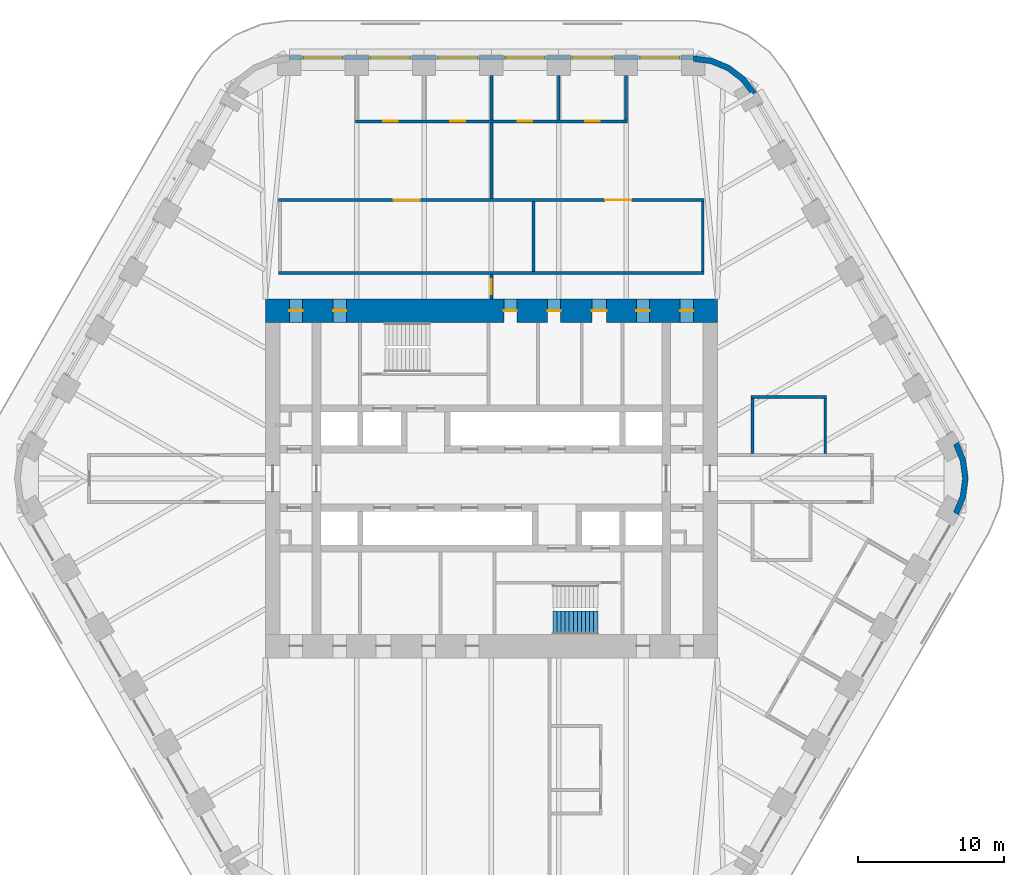
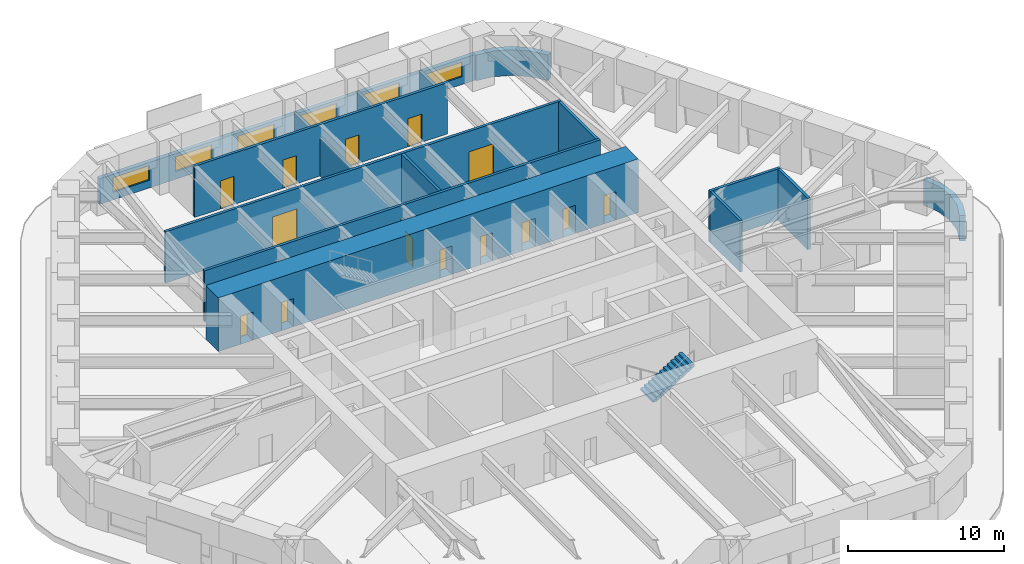
# One storey, part 17 of 20: 17 walls, 14 doors, 6 windows, 1 stair flight, 20 openings, 1 element without a shape of its own.
"""IFC4 building model written with IfcOpenShell, lengths in metres."""

from ifc_helpers import new_model, si_unit, direction, frame, frame_2d, origin, place, context, subcontext, project, spatial, polyline, rectangle, outline, extrude, material, layer, layer_set, type_object, element, fill, aggregate, save


model = new_model("IFC4")

# Units and contexts
model_context = context("Model", 3, precision=1e-05, world=origin(), true_north=direction((0.0, 1.0)))
body_context = subcontext(model_context, "Body", "Model", "MODEL_VIEW")
ifc_project = project(units=[si_unit("LENGTHUNIT", "METRE"), si_unit("AREAUNIT", "SQUARE_METRE"), si_unit("VOLUMEUNIT", "CUBIC_METRE"), si_unit("PLANEANGLEUNIT", "RADIAN"), si_unit("MASSUNIT", "GRAM", prefix="KILO")], contexts=[model_context])

# Site, building, storey
site_placement = place(None, origin())
site = spatial("IfcSite", under=ifc_project, at=site_placement, CompositionType="ELEMENT")
building_placement = place(site_placement, origin())
building = spatial("IfcBuilding", under=site, at=building_placement, Name="Tarfa Lantern Tower", CompositionType="ELEMENT")
storey_placement = place(building_placement, frame((0.0, 0.0, 219.699951171875)))
storey = spatial("IfcBuildingStorey", under=building, at=storey_placement, Name="L49", CompositionType="ELEMENT", Elevation=219.699951171875)

# Wall, openings, windows
ifc_material_1 = material(Name="Limestone cladding on blockwork", Category="masonry")
ifc_layer_1 = layer(ifc_material_1, 0.300048828125)
ifc_layer_set_1 = layer_set([ifc_layer_1], Name="EW1 STONE-CLAD WALL 300")
wall_type_1 = type_object("IfcWallType", Name="EW1 STONE-CLAD WALL 300", PredefinedType="SOLIDWALL", material=ifc_layer_set_1)
wall_1_placement = place(storey_placement, frame((13.8564453125, 28.85009765625, 0.0), z_axis=(0.0, 0.0, 1.0), x_axis=(-1.0, 0.0, 0.0)))
wall_1 = element("IfcWall", 1, at=wall_1_placement, inside=storey, type_object=wall_type_1, Name="Stone wall N", PredefinedType="SOLIDWALL", context=body_context, shape_type="SweptSolid", body=[
    extrude(rectangle(XDim=27.712890625, YDim=0.300048828125, at=frame_2d((13.8564453125, 0.0))), origin(), (0.0, 0.0, 1.0), 2.0),
])
opening_1_placement = place(wall_1_placement, frame((0.95947265625, 0.0, 0.60009765625)))
opening_1 = element("IfcOpeningElement", 2, at=opening_1_placement, cuts=wall_1, Name="Opening W13", PredefinedType="OPENING", context=body_context, shape_type="SweptSolid", body=[
    extrude(rectangle(XDim=2.699951171875, YDim=1.14990234375, at=frame_2d((1.35009765625, 0.574951171875))), frame((0.0, 0.159912109375, 0.0), z_axis=(0.0, -1.0, 0.0), x_axis=(1.0, 0.0, 0.0)), (0.0, 0.0, 1.0), 0.320068359375),
])
opening_2_placement = place(wall_1_placement, frame((5.578125, 0.0, 0.60009765625)))
opening_2 = element("IfcOpeningElement", 3, at=opening_2_placement, cuts=wall_1, Name="Opening W13", PredefinedType="OPENING", context=body_context, shape_type="SweptSolid", body=[
    extrude(rectangle(XDim=2.699951171875, YDim=1.14990234375, at=frame_2d((1.35009765625, 0.574951171875))), frame((0.0, 0.159912109375, 0.0), z_axis=(0.0, -1.0, 0.0), x_axis=(1.0, 0.0, 0.0)), (0.0, 0.0, 1.0), 0.320068359375),
])
opening_3_placement = place(wall_1_placement, frame((10.197021484375, 0.0, 0.60009765625)))
opening_3 = element("IfcOpeningElement", 4, at=opening_3_placement, cuts=wall_1, Name="Opening W13", PredefinedType="OPENING", context=body_context, shape_type="SweptSolid", body=[
    extrude(rectangle(XDim=2.699951171875, YDim=1.14990234375, at=frame_2d((1.35009765625, 0.574951171875))), frame((0.0, 0.159912109375, 0.0), z_axis=(0.0, -1.0, 0.0), x_axis=(1.0, 0.0, 0.0)), (0.0, 0.0, 1.0), 0.320068359375),
])
opening_4_placement = place(wall_1_placement, frame((14.81591796875, 0.0, 0.60009765625)))
opening_4 = element("IfcOpeningElement", 5, at=opening_4_placement, cuts=wall_1, Name="Opening W13", PredefinedType="OPENING", context=body_context, shape_type="SweptSolid", body=[
    extrude(rectangle(XDim=2.699951171875, YDim=1.14990234375, at=frame_2d((1.35009765625, 0.574951171875))), frame((0.0, 0.159912109375, 0.0), z_axis=(0.0, -1.0, 0.0), x_axis=(1.0, 0.0, 0.0)), (0.0, 0.0, 1.0), 0.320068359375),
])
opening_5_placement = place(wall_1_placement, frame((19.4345703125, 0.0, 0.60009765625)))
opening_5 = element("IfcOpeningElement", 6, at=opening_5_placement, cuts=wall_1, Name="Opening W13", PredefinedType="OPENING", context=body_context, shape_type="SweptSolid", body=[
    extrude(rectangle(XDim=2.699951171875, YDim=1.14990234375, at=frame_2d((1.35009765625, 0.574951171875))), frame((0.0, 0.159912109375, 0.0), z_axis=(0.0, -1.0, 0.0), x_axis=(1.0, 0.0, 0.0)), (0.0, 0.0, 1.0), 0.320068359375),
])
opening_6_placement = place(wall_1_placement, frame((24.053466796875, 0.0, 0.60009765625)))
opening_6 = element("IfcOpeningElement", 7, at=opening_6_placement, cuts=wall_1, Name="Opening W13", PredefinedType="OPENING", context=body_context, shape_type="SweptSolid", body=[
    extrude(rectangle(XDim=2.699951171875, YDim=1.14990234375, at=frame_2d((1.35009765625, 0.574951171875))), frame((0.0, 0.159912109375, 0.0), z_axis=(0.0, -1.0, 0.0), x_axis=(1.0, 0.0, 0.0)), (0.0, 0.0, 1.0), 0.320068359375),
])
ifc_material_2 = material(Name="Aluminium frame, double glazed", Category="aluminium")
window_type = type_object("IfcWindowType", Name="W13 FULL-HEIGHT GLAZING 2700x1150", PartitioningType="SINGLE_PANEL", PredefinedType="WINDOW", material=ifc_material_2)
window_1_placement = place(opening_1_placement, origin())
window_1 = element("IfcWindow", 8, at=window_1_placement, inside=storey, type_object=window_type, Name="Window N 1", OverallHeight=1.14990234375, OverallWidth=2.699951171875, PartitioningType="SINGLE_PANEL", PredefinedType="WINDOW", context=body_context, shape_type="SweptSolid", body=[
    extrude(rectangle(XDim=2.699951171875, YDim=1.14990234375, at=frame_2d((1.35009765625, 0.574951171875))), frame((0.0, 0.030029296875, 0.0), z_axis=(0.0, -1.0, 0.0), x_axis=(1.0, 0.0, 0.0)), (0.0, 0.0, 1.0), 0.06005859375),
])
fill(opening_1, window_1)
window_2_placement = place(opening_2_placement, origin())
window_2 = element("IfcWindow", 9, at=window_2_placement, inside=storey, type_object=window_type, Name="Window N 2", OverallHeight=1.14990234375, OverallWidth=2.699951171875, PartitioningType="SINGLE_PANEL", PredefinedType="WINDOW", context=body_context, shape_type="SweptSolid", body=[
    extrude(rectangle(XDim=2.699951171875, YDim=1.14990234375, at=frame_2d((1.35009765625, 0.574951171875))), frame((0.0, 0.030029296875, 0.0), z_axis=(0.0, -1.0, 0.0), x_axis=(1.0, 0.0, 0.0)), (0.0, 0.0, 1.0), 0.06005859375),
])
fill(opening_2, window_2)
window_3_placement = place(opening_3_placement, origin())
window_3 = element("IfcWindow", 10, at=window_3_placement, inside=storey, type_object=window_type, Name="Window N 3", OverallHeight=1.14990234375, OverallWidth=2.699951171875, PartitioningType="SINGLE_PANEL", PredefinedType="WINDOW", context=body_context, shape_type="SweptSolid", body=[
    extrude(rectangle(XDim=2.699951171875, YDim=1.14990234375, at=frame_2d((1.35009765625, 0.574951171875))), frame((0.0, 0.030029296875, 0.0), z_axis=(0.0, -1.0, 0.0), x_axis=(1.0, 0.0, 0.0)), (0.0, 0.0, 1.0), 0.06005859375),
])
fill(opening_3, window_3)
window_4_placement = place(opening_4_placement, origin())
window_4 = element("IfcWindow", 11, at=window_4_placement, inside=storey, type_object=window_type, Name="Window N 4", OverallHeight=1.14990234375, OverallWidth=2.699951171875, PartitioningType="SINGLE_PANEL", PredefinedType="WINDOW", context=body_context, shape_type="SweptSolid", body=[
    extrude(rectangle(XDim=2.699951171875, YDim=1.14990234375, at=frame_2d((1.35009765625, 0.574951171875))), frame((0.0, 0.030029296875, 0.0), z_axis=(0.0, -1.0, 0.0), x_axis=(1.0, 0.0, 0.0)), (0.0, 0.0, 1.0), 0.06005859375),
])
fill(opening_4, window_4)
window_5_placement = place(opening_5_placement, origin())
window_5 = element("IfcWindow", 12, at=window_5_placement, inside=storey, type_object=window_type, Name="Window N 5", OverallHeight=1.14990234375, OverallWidth=2.699951171875, PartitioningType="SINGLE_PANEL", PredefinedType="WINDOW", context=body_context, shape_type="SweptSolid", body=[
    extrude(rectangle(XDim=2.699951171875, YDim=1.14990234375, at=frame_2d((1.35009765625, 0.574951171875))), frame((0.0, 0.030029296875, 0.0), z_axis=(0.0, -1.0, 0.0), x_axis=(1.0, 0.0, 0.0)), (0.0, 0.0, 1.0), 0.06005859375),
])
fill(opening_5, window_5)
window_6_placement = place(opening_6_placement, origin())
window_6 = element("IfcWindow", 13, at=window_6_placement, inside=storey, type_object=window_type, Name="Window N 6", OverallHeight=1.14990234375, OverallWidth=2.699951171875, PartitioningType="SINGLE_PANEL", PredefinedType="WINDOW", context=body_context, shape_type="SweptSolid", body=[
    extrude(rectangle(XDim=2.699951171875, YDim=1.14990234375, at=frame_2d((1.35009765625, 0.574951171875))), frame((0.0, 0.030029296875, 0.0), z_axis=(0.0, -1.0, 0.0), x_axis=(1.0, 0.0, 0.0)), (0.0, 0.0, 1.0), 0.06005859375),
])
fill(opening_6, window_6)

# Walls
ifc_layer_2 = layer(ifc_material_1, 0.39990234375)
ifc_layer_set_2 = layer_set([ifc_layer_2], Name="EW2 CURVED STONE CORNER 400")
wall_type_2 = type_object("IfcWallType", Name="EW2 CURVED STONE CORNER 400", PredefinedType="SOLIDWALL", material=ifc_layer_set_2)
wall_2_placement = place(storey_placement, origin())
element("IfcWall", 14, at=wall_2_placement, inside=storey, type_object=wall_type_2, Name="Stone corner NE-N", PredefinedType="SOLIDWALL", context=body_context, shape_type="SweptSolid", body=[
    extrude(outline(polyline([(18.1865234375, 26.5), (17.391845703125, 27.53564453125), (16.3564453125, 28.330078125), (15.150390625, 28.82958984375), (13.8564453125, 29.0), (13.8564453125, 28.60009765625), (15.046875, 28.443359375), (16.156494140625, 27.983642578125), (17.109130859375, 27.252685546875), (17.840087890625, 26.300048828125), (18.1865234375, 26.5)])), origin(), (0.0, 0.0, 1.0), 2.0),
])
wall_3_placement = place(storey_placement, origin())
element("IfcWall", 15, at=wall_3_placement, inside=storey, type_object=wall_type_2, Name="Stone corner SE-NE", PredefinedType="SOLIDWALL", context=body_context, shape_type="SweptSolid", body=[
    extrude(outline(polyline([(32.04296875, -2.5), (32.54248046875, -1.294189453125), (32.712890625, 0.0), (32.54248046875, 1.294189453125), (32.04296875, 2.5), (31.696533203125, 2.300048828125), (32.156005859375, 1.190673828125), (32.312744140625, 0.0), (32.156005859375, -1.190673828125), (31.696533203125, -2.300048828125), (32.04296875, -2.5)])), origin(), (0.0, 0.0, 1.0), 2.0),
])
ifc_material_3 = material(Name="Gypsum board on steel studs", Category="steel")
ifc_layer_3 = layer(ifc_material_3, 0.2099609375)
ifc_layer_set_3 = layer_set([ifc_layer_3], Name="IW2 ACOUSTIC PARTITION 200")
wall_type_3 = type_object("IfcWallType", Name="IW2 ACOUSTIC PARTITION 200", PredefinedType="PARTITIONING", material=ifc_layer_set_3)
wall_4_placement = place(storey_placement, frame((-14.60009765625, 14.10009765625, 0.0), z_axis=(0.0, 0.0, 1.0), x_axis=(1.0, 0.0, 0.0)))
element("IfcWall", 16, at=wall_4_placement, inside=storey, type_object=wall_type_3, Name="Partition", PredefinedType="PARTITIONING", context=body_context, shape_type="SweptSolid", body=[
    extrude(rectangle(XDim=29.2001953125, YDim=0.199951171875, at=frame_2d((14.60009765625, 0.0))), origin(), (0.0, 0.0, 1.0), 4.0),
])

# Wall, openings, doors
wall_5_placement = place(storey_placement, frame((-14.60009765625, 19.10009765625, 0.0), z_axis=(0.0, 0.0, 1.0), x_axis=(1.0, 0.0, 0.0)))
wall_5 = element("IfcWall", 17, at=wall_5_placement, inside=storey, type_object=wall_type_3, Name="Partition", PredefinedType="PARTITIONING", context=body_context, shape_type="SweptSolid", body=[
    extrude(rectangle(XDim=29.2001953125, YDim=0.199951171875, at=frame_2d((14.60009765625, 0.0))), origin(), (0.0, 0.0, 1.0), 4.0),
])
opening_7_placement = place(wall_5_placement, frame((7.89990234375, 0.0, 0.0)))
opening_7 = element("IfcOpeningElement", 18, at=opening_7_placement, cuts=wall_5, Name="Opening D36", PredefinedType="OPENING", context=body_context, shape_type="SweptSolid", body=[
    extrude(rectangle(XDim=1.800048828125, YDim=2.39990234375, at=frame_2d((0.89990234375, 1.199951171875))), frame((0.0, 0.10986328125, 0.0), z_axis=(0.0, -1.0, 0.0), x_axis=(1.0, 0.0, 0.0)), (0.0, 0.0, 1.0), 0.219970703125),
])
opening_8_placement = place(wall_5_placement, frame((22.39990234375, 0.0, 0.0)))
opening_8 = element("IfcOpeningElement", 19, at=opening_8_placement, cuts=wall_5, Name="Opening D37", PredefinedType="OPENING", context=body_context, shape_type="SweptSolid", body=[
    extrude(rectangle(XDim=1.800048828125, YDim=2.39990234375, at=frame_2d((0.89990234375, 1.199951171875))), frame((0.0, 0.10986328125, 0.0), z_axis=(0.0, -1.0, 0.0), x_axis=(1.0, 0.0, 0.0)), (0.0, 0.0, 1.0), 0.219970703125),
])
ifc_material_4 = material(Name="Timber door", Category="wood")
door_type_1 = type_object("IfcDoorType", Name="DR2 ROOM DOOR 1800x2400", OperationType="DOUBLE_DOOR_SINGLE_SWING", PredefinedType="DOOR", material=ifc_material_4)
door_1_placement = place(opening_7_placement, frame((1.800048828125, 0.0, 0.0), z_axis=(0.0, 0.0, 1.0), x_axis=(-1.0, 0.0, 0.0)))
door_1 = element("IfcDoor", 20, at=door_1_placement, inside=storey, type_object=door_type_1, Name="Legal library door", OperationType="DOUBLE_DOOR_SINGLE_SWING", OverallHeight=2.39990234375, OverallWidth=1.800048828125, PredefinedType="DOOR", context=body_context, shape_type="SweptSolid", body=[
    extrude(rectangle(XDim=1.800048828125, YDim=2.39990234375, at=frame_2d((0.89990234375, 1.199951171875))), frame((0.0, 0.02490234375, 0.0), z_axis=(0.0, -1.0, 0.0), x_axis=(1.0, 0.0, 0.0)), (0.0, 0.0, 1.0), 0.050048828125),
])
fill(opening_7, door_1)
door_2_placement = place(opening_8_placement, frame((1.800048828125, 0.0, 0.0), z_axis=(0.0, 0.0, 1.0), x_axis=(-1.0, 0.0, 0.0)))
door_2 = element("IfcDoor", 21, at=door_2_placement, inside=storey, type_object=door_type_1, Name="File room door", OperationType="DOUBLE_DOOR_SINGLE_SWING", OverallHeight=2.39990234375, OverallWidth=1.800048828125, PredefinedType="DOOR", context=body_context, shape_type="SweptSolid", body=[
    extrude(rectangle(XDim=1.800048828125, YDim=2.39990234375, at=frame_2d((0.89990234375, 1.199951171875))), frame((0.0, 0.02490234375, 0.0), z_axis=(0.0, -1.0, 0.0), x_axis=(1.0, 0.0, 0.0)), (0.0, 0.0, 1.0), 0.050048828125),
])
fill(opening_8, door_2)

# Walls
for number, where, z_axis, x_axis, name in (
    (22, (2.89990234375, 14.199951171875, 0.0), (0.0, 0.0, 1.0), (0.0, 1.0, 0.0), "Partition"),
    (23, (14.5, 14.199951171875, 0.0), (0.0, 0.0, 1.0), (0.0, 1.0, 0.0), "Partition"),
):
    element("IfcWall", number, at=place(storey_placement, frame(where, z_axis=z_axis, x_axis=x_axis)), inside=storey, type_object=wall_type_3, Name=name, PredefinedType="PARTITIONING", context=body_context, shape_type="SweptSolid", body=[
        extrude(rectangle(XDim=4.800048828125, YDim=0.199951171875, at=frame_2d((2.39990234375, 0.0))), origin(), (0.0, 0.0, 1.0), 4.0),
    ])

# Wall, openings, doors
wall_6_placement = place(storey_placement, frame((9.337646484375, 24.5, 0.0), z_axis=(0.0, 0.0, 1.0), x_axis=(-1.0, 0.0, 0.0)))
wall_6 = element("IfcWall", 24, at=wall_6_placement, inside=storey, type_object=wall_type_3, Name="Partition", PredefinedType="PARTITIONING", context=body_context, shape_type="SweptSolid", body=[
    extrude(rectangle(XDim=18.67529296875, YDim=0.199951171875, at=frame_2d((9.337646484375, 0.0))), origin(), (0.0, 0.0, 1.0), 4.0),
])
opening_9_placement = place(wall_6_placement, frame((1.909423828125, 0.0, 0.0)))
opening_9 = element("IfcOpeningElement", 25, at=opening_9_placement, cuts=wall_6, Name="Opening D29", PredefinedType="OPENING", context=body_context, shape_type="SweptSolid", body=[
    extrude(rectangle(XDim=1.0, YDim=2.199951171875, at=frame_2d((0.5, 1.10009765625))), frame((0.0, 0.10986328125, 0.0), z_axis=(0.0, -1.0, 0.0), x_axis=(1.0, 0.0, 0.0)), (0.0, 0.0, 1.0), 0.219970703125),
])
opening_10_placement = place(wall_6_placement, frame((6.5283203125, 0.0, 0.0)))
opening_10 = element("IfcOpeningElement", 26, at=opening_10_placement, cuts=wall_6, Name="Opening D30", PredefinedType="OPENING", context=body_context, shape_type="SweptSolid", body=[
    extrude(rectangle(XDim=1.0, YDim=2.199951171875, at=frame_2d((0.5, 1.10009765625))), frame((0.0, 0.10986328125, 0.0), z_axis=(0.0, -1.0, 0.0), x_axis=(1.0, 0.0, 0.0)), (0.0, 0.0, 1.0), 0.219970703125),
])
opening_11_placement = place(wall_6_placement, frame((11.14697265625, 0.0, 0.0)))
opening_11 = element("IfcOpeningElement", 27, at=opening_11_placement, cuts=wall_6, Name="Opening D31", PredefinedType="OPENING", context=body_context, shape_type="SweptSolid", body=[
    extrude(rectangle(XDim=1.0, YDim=2.199951171875, at=frame_2d((0.5, 1.10009765625))), frame((0.0, 0.10986328125, 0.0), z_axis=(0.0, -1.0, 0.0), x_axis=(1.0, 0.0, 0.0)), (0.0, 0.0, 1.0), 0.219970703125),
])
opening_12_placement = place(wall_6_placement, frame((15.765869140625, 0.0, 0.0)))
opening_12 = element("IfcOpeningElement", 28, at=opening_12_placement, cuts=wall_6, Name="Opening D32", PredefinedType="OPENING", context=body_context, shape_type="SweptSolid", body=[
    extrude(rectangle(XDim=1.0, YDim=2.199951171875, at=frame_2d((0.5, 1.10009765625))), frame((0.0, 0.10986328125, 0.0), z_axis=(0.0, -1.0, 0.0), x_axis=(1.0, 0.0, 0.0)), (0.0, 0.0, 1.0), 0.219970703125),
])
door_type_2 = type_object("IfcDoorType", Name="DR1 ROOM DOOR 1000x2200", OperationType="SINGLE_SWING_LEFT", PredefinedType="DOOR", material=ifc_material_4)
door_3_placement = place(opening_9_placement, frame((1.0, 0.0, 0.0), z_axis=(0.0, 0.0, 1.0), x_axis=(-1.0, 0.0, 0.0)))
door_3 = element("IfcDoor", 29, at=door_3_placement, inside=storey, type_object=door_type_2, Name="Office door", OperationType="SINGLE_SWING_LEFT", OverallHeight=2.199951171875, OverallWidth=1.0, PredefinedType="DOOR", context=body_context, shape_type="SweptSolid", body=[
    extrude(rectangle(XDim=1.0, YDim=2.199951171875, at=frame_2d((0.5, 1.10009765625))), frame((0.0, 0.02490234375, 0.0), z_axis=(0.0, -1.0, 0.0), x_axis=(1.0, 0.0, 0.0)), (0.0, 0.0, 1.0), 0.050048828125),
])
fill(opening_9, door_3)
door_4_placement = place(opening_10_placement, frame((1.0, 0.0, 0.0), z_axis=(0.0, 0.0, 1.0), x_axis=(-1.0, 0.0, 0.0)))
door_4 = element("IfcDoor", 30, at=door_4_placement, inside=storey, type_object=door_type_2, Name="Office door", OperationType="SINGLE_SWING_LEFT", OverallHeight=2.199951171875, OverallWidth=1.0, PredefinedType="DOOR", context=body_context, shape_type="SweptSolid", body=[
    extrude(rectangle(XDim=1.0, YDim=2.199951171875, at=frame_2d((0.5, 1.10009765625))), frame((0.0, 0.02490234375, 0.0), z_axis=(0.0, -1.0, 0.0), x_axis=(1.0, 0.0, 0.0)), (0.0, 0.0, 1.0), 0.050048828125),
])
fill(opening_10, door_4)
door_5_placement = place(opening_11_placement, frame((1.0, 0.0, 0.0), z_axis=(0.0, 0.0, 1.0), x_axis=(-1.0, 0.0, 0.0)))
door_5 = element("IfcDoor", 31, at=door_5_placement, inside=storey, type_object=door_type_2, Name="Office door", OperationType="SINGLE_SWING_RIGHT", OverallHeight=2.199951171875, OverallWidth=1.0, PredefinedType="DOOR", context=body_context, shape_type="SweptSolid", body=[
    extrude(rectangle(XDim=1.0, YDim=2.199951171875, at=frame_2d((0.5, 1.10009765625))), frame((0.0, 0.02490234375, 0.0), z_axis=(0.0, -1.0, 0.0), x_axis=(1.0, 0.0, 0.0)), (0.0, 0.0, 1.0), 0.050048828125),
])
fill(opening_11, door_5)
door_6_placement = place(opening_12_placement, frame((1.0, 0.0, 0.0), z_axis=(0.0, 0.0, 1.0), x_axis=(-1.0, 0.0, 0.0)))
door_6 = element("IfcDoor", 32, at=door_6_placement, inside=storey, type_object=door_type_2, Name="Office door", OperationType="SINGLE_SWING_RIGHT", OverallHeight=2.199951171875, OverallWidth=1.0, PredefinedType="DOOR", context=body_context, shape_type="SweptSolid", body=[
    extrude(rectangle(XDim=1.0, YDim=2.199951171875, at=frame_2d((0.5, 1.10009765625))), frame((0.0, 0.02490234375, 0.0), z_axis=(0.0, -1.0, 0.0), x_axis=(1.0, 0.0, 0.0)), (0.0, 0.0, 1.0), 0.050048828125),
])
fill(opening_12, door_6)

# Walls
for number, where, z_axis, x_axis, name in (
    (33, (9.237548828125, 24.60009765625, 0.0), (0.0, 0.0, 1.0), (0.0, 1.0, 0.0), "Partition"),
    (34, (4.618896484375, 24.60009765625, 0.0), (0.0, 0.0, 1.0), (0.0, 1.0, 0.0), "Partition"),
    (35, (0.0, 24.60009765625, 0.0), (0.0, 0.0, 1.0), (0.0, 1.0, 0.0), "Partition"),
):
    element("IfcWall", number, at=place(storey_placement, frame(where, z_axis=z_axis, x_axis=x_axis)), inside=storey, type_object=wall_type_3, Name=name, PredefinedType="PARTITIONING", context=body_context, shape_type="SweptSolid", body=[
        extrude(rectangle(XDim=3.0498046875, YDim=0.199951171875, at=frame_2d((1.52490234375, 0.0))), origin(), (0.0, 0.0, 1.0), 2.991943359375),
    ])
wall_7_placement = place(storey_placement, frame((17.800048828125, 5.60009765625, 0.0), z_axis=(0.0, 0.0, 1.0), x_axis=(1.0, 0.0, 0.0)))
element("IfcWall", 36, at=wall_7_placement, inside=storey, type_object=wall_type_3, Name="Partition", PredefinedType="PARTITIONING", context=body_context, shape_type="SweptSolid", body=[
    extrude(rectangle(XDim=5.199951171875, YDim=0.199951171875, at=frame_2d((2.60009765625, 0.0))), origin(), (0.0, 0.0, 1.0), 4.0),
])
for number, where, z_axis, x_axis, name in (
    (37, (17.89990234375, 1.699951171875, 0.0), (0.0, 0.0, 1.0), (0.0, 1.0, 0.0), "Partition"),
    (38, (22.89990234375, 1.699951171875, 0.0), (0.0, 0.0, 1.0), (0.0, 1.0, 0.0), "Partition"),
):
    element("IfcWall", number, at=place(storey_placement, frame(where, z_axis=z_axis, x_axis=x_axis)), inside=storey, type_object=wall_type_3, Name=name, PredefinedType="PARTITIONING", context=body_context, shape_type="SweptSolid", body=[
        extrude(rectangle(XDim=3.800048828125, YDim=0.199951171875, at=frame_2d((1.89990234375, 0.0))), origin(), (0.0, 0.0, 1.0), 4.0),
    ])

# Wall, opening, door
wall_8_placement = place(storey_placement, frame((0.0, 12.300048828125, 0.0), z_axis=(0.0, 0.0, 1.0), x_axis=(0.0, 1.0, 0.0)))
wall_8 = element("IfcWall", 39, at=wall_8_placement, inside=storey, type_object=wall_type_3, Name="Partition", PredefinedType="PARTITIONING", context=body_context, shape_type="SweptSolid", body=[
    extrude(rectangle(XDim=1.699951171875, YDim=0.199951171875, at=frame_2d((0.85009765625, 0.0))), origin(), (0.0, 0.0, 1.0), 2.991943359375),
])
opening_13_placement = place(wall_8_placement, frame((0.35009765625, 0.0, 0.0)))
opening_13 = element("IfcOpeningElement", 40, at=opening_13_placement, cuts=wall_8, Name="Opening D46", PredefinedType="OPENING", context=body_context, shape_type="SweptSolid", body=[
    extrude(rectangle(XDim=1.0, YDim=2.199951171875, at=frame_2d((0.5, 1.10009765625))), frame((0.0, 0.10986328125, 0.0), z_axis=(0.0, -1.0, 0.0), x_axis=(1.0, 0.0, 0.0)), (0.0, 0.0, 1.0), 0.219970703125),
])
door_7_placement = place(opening_13_placement, frame((1.0, 0.0, 0.0), z_axis=(0.0, 0.0, 1.0), x_axis=(-1.0, 0.0, 0.0)))
door_7 = element("IfcDoor", 41, at=door_7_placement, inside=storey, type_object=door_type_2, Name="Zone door", OperationType="SINGLE_SWING_RIGHT", OverallHeight=2.199951171875, OverallWidth=1.0, PredefinedType="DOOR", context=body_context, shape_type="SweptSolid", body=[
    extrude(rectangle(XDim=1.0, YDim=2.199951171875, at=frame_2d((0.5, 1.10009765625))), frame((0.0, 0.02490234375, 0.0), z_axis=(0.0, -1.0, 0.0), x_axis=(1.0, 0.0, 0.0)), (0.0, 0.0, 1.0), 0.050048828125),
])
fill(opening_13, door_7)

# Wall
wall_9_placement = place(storey_placement, frame((0.0, 19.199951171875, 0.0), z_axis=(0.0, 0.0, 1.0), x_axis=(0.0, 1.0, 0.0)))
element("IfcWall", 42, at=wall_9_placement, inside=storey, type_object=wall_type_3, Name="Partition", PredefinedType="PARTITIONING", context=body_context, shape_type="SweptSolid", body=[
    extrude(rectangle(XDim=5.199951171875, YDim=0.199951171875, at=frame_2d((2.60009765625, 0.0))), origin(), (0.0, 0.0, 1.0), 2.991943359375),
])

# Wall, openings, doors
ifc_material_5 = material(Name="Concrete C80/95", Category="concrete")
ifc_layer_4 = layer(ifc_material_5, 1.60009765625)
ifc_layer_set_4 = layer_set([ifc_layer_4], Name="SW7 CORE WALL 1600")
wall_type_4 = type_object("IfcWallType", Name="SW7 CORE WALL 1600", PredefinedType="SHEAR", material=ifc_layer_set_4)
wall_10_placement = place(storey_placement, frame((-15.5, 11.5, 0.0), z_axis=(0.0, 0.0, 1.0), x_axis=(1.0, 0.0, 0.0)))
wall_10 = element("IfcWall", 43, at=wall_10_placement, inside=storey, type_object=wall_type_4, Name="Core wall N", PredefinedType="SHEAR", context=body_context, shape_type="SweptSolid", body=[
    extrude(rectangle(XDim=31.0, YDim=1.60009765625, at=frame_2d((15.5, 0.0))), origin(), (0.0, 0.0, 1.0), 4.199951171875),
])
opening_14_placement = place(wall_10_placement, frame((16.35009765625, 0.0, 0.0)))
opening_14 = element("IfcOpeningElement", 44, at=opening_14_placement, cuts=wall_10, Name="Opening D17", PredefinedType="OPENING", context=body_context, shape_type="SweptSolid", body=[
    extrude(rectangle(XDim=0.89990234375, YDim=2.199951171875, at=frame_2d((0.449951171875, 1.10009765625))), frame((0.0, 0.81005859375, 0.0), z_axis=(0.0, -1.0, 0.0), x_axis=(1.0, 0.0, 0.0)), (0.0, 0.0, 1.0), 1.6201171875),
])
opening_15_placement = place(wall_10_placement, frame((19.35009765625, 0.0, 0.0)))
opening_15 = element("IfcOpeningElement", 45, at=opening_15_placement, cuts=wall_10, Name="Opening D19", PredefinedType="OPENING", context=body_context, shape_type="SweptSolid", body=[
    extrude(rectangle(XDim=0.89990234375, YDim=2.199951171875, at=frame_2d((0.449951171875, 1.10009765625))), frame((0.0, 0.81005859375, 0.0), z_axis=(0.0, -1.0, 0.0), x_axis=(1.0, 0.0, 0.0)), (0.0, 0.0, 1.0), 1.6201171875),
])
opening_16_placement = place(wall_10_placement, frame((22.39990234375, 0.0, 0.0)))
opening_16 = element("IfcOpeningElement", 46, at=opening_16_placement, cuts=wall_10, Name="Opening D21", PredefinedType="OPENING", context=body_context, shape_type="SweptSolid", body=[
    extrude(rectangle(XDim=1.0, YDim=2.199951171875, at=frame_2d((0.5, 1.10009765625))), frame((0.0, 0.81005859375, 0.0), z_axis=(0.0, -1.0, 0.0), x_axis=(1.0, 0.0, 0.0)), (0.0, 0.0, 1.0), 1.6201171875),
])
opening_17_placement = place(wall_10_placement, frame((1.64990234375, 0.0, 0.0)))
opening_17 = element("IfcOpeningElement", 47, at=opening_17_placement, cuts=wall_10, Name="Opening D07", PredefinedType="OPENING", context=body_context, shape_type="SweptSolid", body=[
    extrude(rectangle(XDim=0.89990234375, YDim=2.199951171875, at=frame_2d((0.449951171875, 1.10009765625))), frame((0.0, 0.81005859375, 0.0), z_axis=(0.0, -1.0, 0.0), x_axis=(1.0, 0.0, 0.0)), (0.0, 0.0, 1.0), 1.6201171875),
])
opening_18_placement = place(wall_10_placement, frame((4.64990234375, 0.0, 0.0)))
opening_18 = element("IfcOpeningElement", 48, at=opening_18_placement, cuts=wall_10, Name="Opening D05", PredefinedType="OPENING", context=body_context, shape_type="SweptSolid", body=[
    extrude(rectangle(XDim=0.89990234375, YDim=2.199951171875, at=frame_2d((0.449951171875, 1.10009765625))), frame((0.0, 0.81005859375, 0.0), z_axis=(0.0, -1.0, 0.0), x_axis=(1.0, 0.0, 0.0)), (0.0, 0.0, 1.0), 1.6201171875),
])
opening_19_placement = place(wall_10_placement, frame((25.449951171875, 0.0, 0.0)))
opening_19 = element("IfcOpeningElement", 49, at=opening_19_placement, cuts=wall_10, Name="Opening D03", PredefinedType="OPENING", context=body_context, shape_type="SweptSolid", body=[
    extrude(rectangle(XDim=0.89990234375, YDim=2.199951171875, at=frame_2d((0.449951171875, 1.10009765625))), frame((0.0, 0.81005859375, 0.0), z_axis=(0.0, -1.0, 0.0), x_axis=(1.0, 0.0, 0.0)), (0.0, 0.0, 1.0), 1.6201171875),
])
opening_20_placement = place(wall_10_placement, frame((28.449951171875, 0.0, 0.0)))
opening_20 = element("IfcOpeningElement", 50, at=opening_20_placement, cuts=wall_10, Name="Opening D01", PredefinedType="OPENING", context=body_context, shape_type="SweptSolid", body=[
    extrude(rectangle(XDim=0.89990234375, YDim=2.199951171875, at=frame_2d((0.449951171875, 1.10009765625))), frame((0.0, 0.81005859375, 0.0), z_axis=(0.0, -1.0, 0.0), x_axis=(1.0, 0.0, 0.0)), (0.0, 0.0, 1.0), 1.6201171875),
])
ifc_material_6 = material(Name="Steel fire door", Category="steel")
door_type_3 = type_object("IfcDoorType", Name="DF3 CORE ROOM DOOR 900x2200", OperationType="SINGLE_SWING_LEFT", PredefinedType="DOOR", material=ifc_material_6)
door_8_placement = place(opening_14_placement, frame((0.89990234375, 0.0, 0.0), z_axis=(0.0, 0.0, 1.0), x_axis=(-1.0, 0.0, 0.0)))
door_8 = element("IfcDoor", 51, at=door_8_placement, inside=storey, type_object=door_type_3, Name="Core door", OperationType="SINGLE_SWING_LEFT", OverallHeight=2.199951171875, OverallWidth=0.89990234375, PredefinedType="DOOR", context=body_context, shape_type="SweptSolid", body=[
    extrude(rectangle(XDim=0.89990234375, YDim=2.199951171875, at=frame_2d((0.449951171875, 1.10009765625))), frame((0.0, 0.02490234375, 0.0), z_axis=(0.0, -1.0, 0.0), x_axis=(1.0, 0.0, 0.0)), (0.0, 0.0, 1.0), 0.050048828125),
])
fill(opening_14, door_8)
door_9_placement = place(opening_15_placement, frame((0.89990234375, 0.0, 0.0), z_axis=(0.0, 0.0, 1.0), x_axis=(-1.0, 0.0, 0.0)))
door_9 = element("IfcDoor", 52, at=door_9_placement, inside=storey, type_object=door_type_3, Name="Core door", OperationType="SINGLE_SWING_LEFT", OverallHeight=2.199951171875, OverallWidth=0.89990234375, PredefinedType="DOOR", context=body_context, shape_type="SweptSolid", body=[
    extrude(rectangle(XDim=0.89990234375, YDim=2.199951171875, at=frame_2d((0.449951171875, 1.10009765625))), frame((0.0, 0.02490234375, 0.0), z_axis=(0.0, -1.0, 0.0), x_axis=(1.0, 0.0, 0.0)), (0.0, 0.0, 1.0), 0.050048828125),
])
fill(opening_15, door_9)
door_type_4 = type_object("IfcDoorType", Name="DF4 CORE ROOM DOOR 1000x2200", OperationType="SINGLE_SWING_LEFT", PredefinedType="DOOR", material=ifc_material_6)
door_10_placement = place(opening_16_placement, frame((1.0, 0.0, 0.0), z_axis=(0.0, 0.0, 1.0), x_axis=(-1.0, 0.0, 0.0)))
door_10 = element("IfcDoor", 53, at=door_10_placement, inside=storey, type_object=door_type_4, Name="Core door", OperationType="SINGLE_SWING_LEFT", OverallHeight=2.199951171875, OverallWidth=1.0, PredefinedType="DOOR", context=body_context, shape_type="SweptSolid", body=[
    extrude(rectangle(XDim=1.0, YDim=2.199951171875, at=frame_2d((0.5, 1.10009765625))), frame((0.0, 0.02490234375, 0.0), z_axis=(0.0, -1.0, 0.0), x_axis=(1.0, 0.0, 0.0)), (0.0, 0.0, 1.0), 0.050048828125),
])
fill(opening_16, door_10)
door_type_5 = type_object("IfcDoorType", Name="DF5 RISER DOOR 900x2200", OperationType="SINGLE_SWING_LEFT", PredefinedType="DOOR", material=ifc_material_6)
door_11_placement = place(opening_17_placement, frame((0.89990234375, 0.0, 0.0), z_axis=(0.0, 0.0, 1.0), x_axis=(-1.0, 0.0, 0.0)))
door_11 = element("IfcDoor", 54, at=door_11_placement, inside=storey, type_object=door_type_5, Name="Riser door", OperationType="SINGLE_SWING_LEFT", OverallHeight=2.199951171875, OverallWidth=0.89990234375, PredefinedType="DOOR", context=body_context, shape_type="SweptSolid", body=[
    extrude(rectangle(XDim=0.89990234375, YDim=2.199951171875, at=frame_2d((0.449951171875, 1.10009765625))), frame((0.0, 0.02490234375, 0.0), z_axis=(0.0, -1.0, 0.0), x_axis=(1.0, 0.0, 0.0)), (0.0, 0.0, 1.0), 0.050048828125),
])
fill(opening_17, door_11)
door_12_placement = place(opening_18_placement, frame((0.89990234375, 0.0, 0.0), z_axis=(0.0, 0.0, 1.0), x_axis=(-1.0, 0.0, 0.0)))
door_12 = element("IfcDoor", 55, at=door_12_placement, inside=storey, type_object=door_type_5, Name="Riser door", OperationType="SINGLE_SWING_LEFT", OverallHeight=2.199951171875, OverallWidth=0.89990234375, PredefinedType="DOOR", context=body_context, shape_type="SweptSolid", body=[
    extrude(rectangle(XDim=0.89990234375, YDim=2.199951171875, at=frame_2d((0.449951171875, 1.10009765625))), frame((0.0, 0.02490234375, 0.0), z_axis=(0.0, -1.0, 0.0), x_axis=(1.0, 0.0, 0.0)), (0.0, 0.0, 1.0), 0.050048828125),
])
fill(opening_18, door_12)
door_13_placement = place(opening_19_placement, frame((0.89990234375, 0.0, 0.0), z_axis=(0.0, 0.0, 1.0), x_axis=(-1.0, 0.0, 0.0)))
door_13 = element("IfcDoor", 56, at=door_13_placement, inside=storey, type_object=door_type_5, Name="Riser door", OperationType="SINGLE_SWING_RIGHT", OverallHeight=2.199951171875, OverallWidth=0.89990234375, PredefinedType="DOOR", context=body_context, shape_type="SweptSolid", body=[
    extrude(rectangle(XDim=0.89990234375, YDim=2.199951171875, at=frame_2d((0.449951171875, 1.10009765625))), frame((0.0, 0.02490234375, 0.0), z_axis=(0.0, -1.0, 0.0), x_axis=(1.0, 0.0, 0.0)), (0.0, 0.0, 1.0), 0.050048828125),
])
fill(opening_19, door_13)
door_14_placement = place(opening_20_placement, frame((0.89990234375, 0.0, 0.0), z_axis=(0.0, 0.0, 1.0), x_axis=(-1.0, 0.0, 0.0)))
door_14 = element("IfcDoor", 57, at=door_14_placement, inside=storey, type_object=door_type_5, Name="Riser door", OperationType="SINGLE_SWING_RIGHT", OverallHeight=2.199951171875, OverallWidth=0.89990234375, PredefinedType="DOOR", context=body_context, shape_type="SweptSolid", body=[
    extrude(rectangle(XDim=0.89990234375, YDim=2.199951171875, at=frame_2d((0.449951171875, 1.10009765625))), frame((0.0, 0.02490234375, 0.0), z_axis=(0.0, -1.0, 0.0), x_axis=(1.0, 0.0, 0.0)), (0.0, 0.0, 1.0), 0.050048828125),
])
fill(opening_20, door_14)

# Stair, stair flight
ifc_material_7 = material(Name="Concrete C40/50", Category="concrete")
stair_type = type_object("IfcStairType", Name="ST-T10 HALF-TURN STAIR 4200 RISE", PredefinedType="HALF_TURN_STAIR", material=ifc_material_7)
stair_placement = place(storey_placement, origin())
stair = element("IfcStair", 58, at=stair_placement, inside=storey, type_object=stair_type, Name="Stair ST2", PredefinedType="HALF_TURN_STAIR")
stair_flight_type = type_object("IfcStairFlightType", Name="SF1 STAIR FLIGHT", PredefinedType="STRAIGHT", material=ifc_material_7)
stair_flight_placement = place(storey_placement, frame((4.219970703125, -9.89990234375, 2.10009765625), z_axis=(0.0, 0.0, 1.0), x_axis=(1.0, 0.0, 0.0)))
stair_flight = element("IfcStairFlight", 59, at=stair_flight_placement, type_object=stair_flight_type, Name="ST2 flight 2", NumberOfRisers=12, NumberOfTreads=11, PredefinedType="STRAIGHT", RiserHeight=0.175, TreadLength=0.28, context=body_context, shape_type="SweptSolid", body=[
    extrude(outline(polyline([(0.0, 0.0), (0.0, 0.175048828125), (0.280029296875, 0.175048828125), (0.280029296875, 0.35009765625), (0.56005859375, 0.35009765625), (0.56005859375, 0.52490234375), (0.840087890625, 0.52490234375), (0.840087890625, 0.699951171875), (1.1201171875, 0.699951171875), (1.1201171875, 0.875), (1.39990234375, 0.875), (1.39990234375, 1.050048828125), (1.679931640625, 1.050048828125), (1.679931640625, 1.22509765625), (1.9599609375, 1.22509765625), (1.9599609375, 1.39990234375), (2.239990234375, 1.39990234375), (2.239990234375, 1.574951171875), (2.52001953125, 1.574951171875), (2.52001953125, 1.75), (2.800048828125, 1.75), (2.800048828125, 1.925048828125), (3.080078125, 1.925048828125), (3.080078125, 2.10009765625), (3.080078125, 1.748291015625), (0.28271484375, 0.0), (0.0, 0.0)])), frame((0.0, 0.800048828125, 0.0), z_axis=(0.0, -1.0, 0.0), x_axis=(1.0, 0.0, 0.0)), (0.0, 0.0, 1.0), 1.60009765625),
])
aggregate(stair, [stair_flight])

save(model, "model.ifc")
